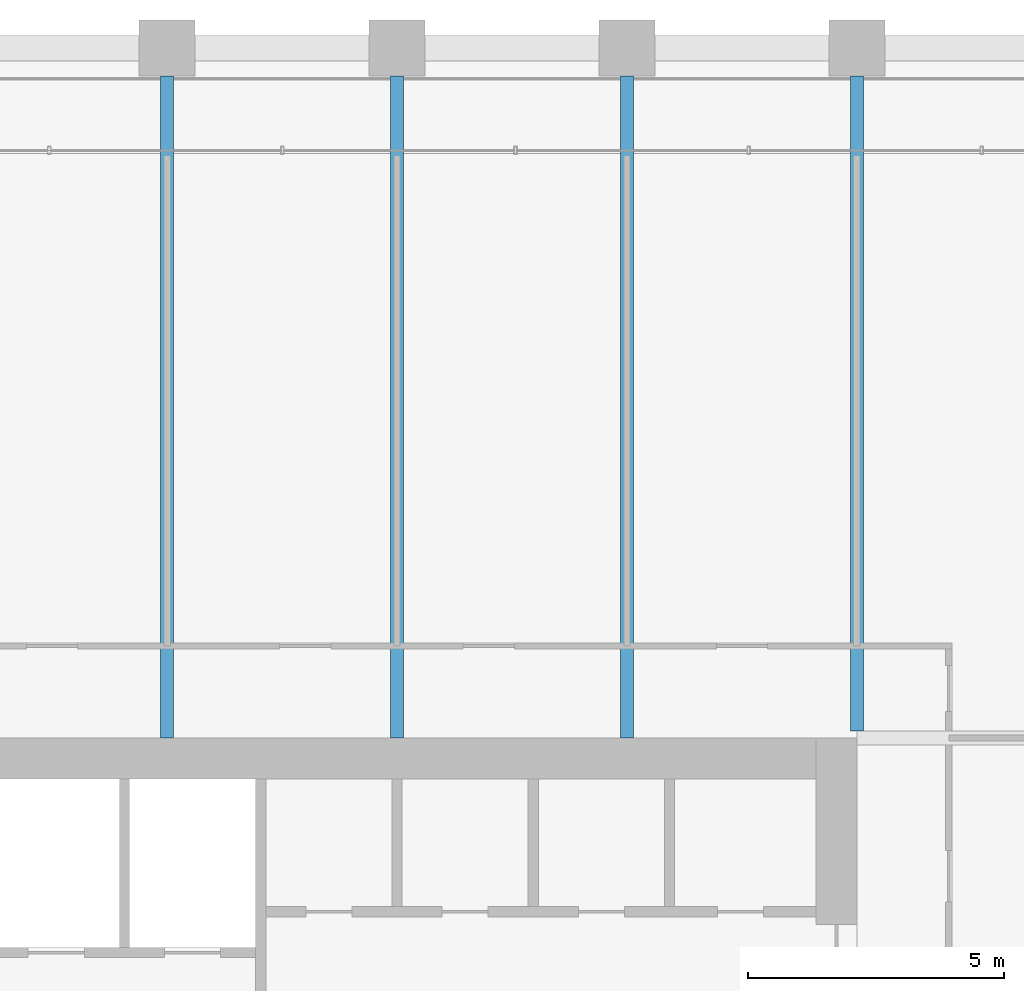
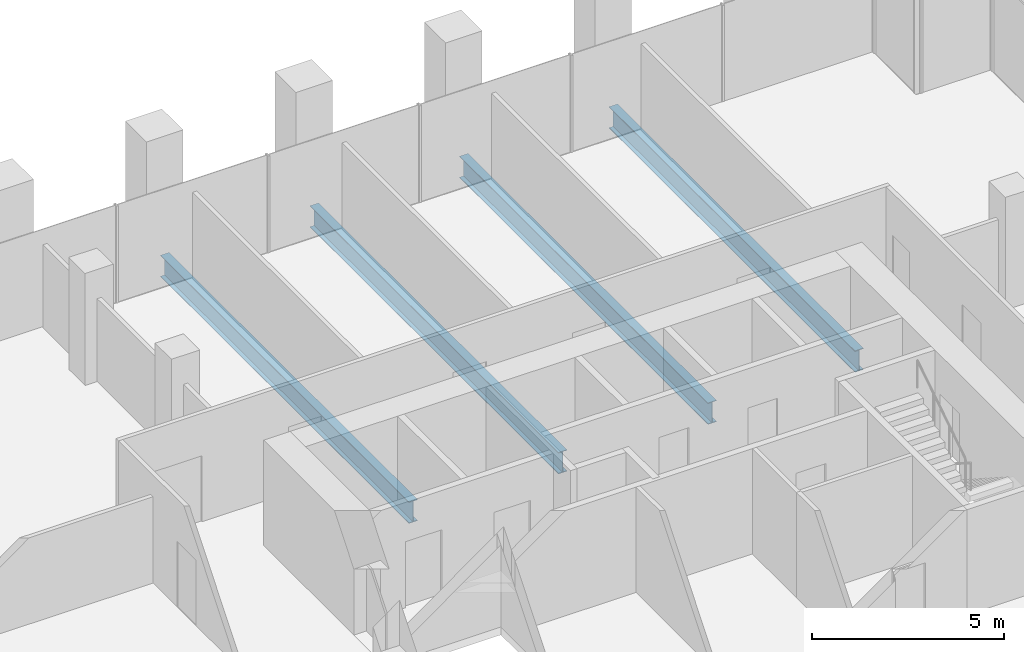
# One storey, part 28 of 56: 4 beams.
"""IFC4 building model written with IfcOpenShell, lengths in metres."""

from ifc_helpers import new_model, si_unit, direction, frame, origin, origin_2d, place, context, subcontext, project, spatial, i_section, extrude, material, material_profile, profile_set, type_object, element, save


model = new_model("IFC4")

# Units and contexts
model_context = context("Model", 3, precision=1e-05, world=origin(), true_north=direction((0.0, 1.0)))
body_context = subcontext(model_context, "Body", "Model", "MODEL_VIEW")
ifc_project = project(units=[si_unit("LENGTHUNIT", "METRE"), si_unit("AREAUNIT", "SQUARE_METRE"), si_unit("VOLUMEUNIT", "CUBIC_METRE"), si_unit("PLANEANGLEUNIT", "RADIAN"), si_unit("MASSUNIT", "GRAM", prefix="KILO")], contexts=[model_context])

# Site, building, storey
site_placement = place(None, origin())
site = spatial("IfcSite", under=ifc_project, at=site_placement, CompositionType="ELEMENT")
building_placement = place(site_placement, origin())
building = spatial("IfcBuilding", under=site, at=building_placement, Name="Altepetl Exchange Towers", CompositionType="ELEMENT")
storey_placement = place(building_placement, frame((0.0, 0.0, 69.0)))
storey = spatial("IfcBuildingStorey", under=building, at=storey_placement, Name="L16", CompositionType="ELEMENT", Elevation=69.0)

# Beams
ifc_material = material(Name="Steel S355", Category="steel")
ifc_material_profile = material_profile(ifc_material, i_section(OverallWidth=0.25390625, OverallDepth=0.68408203125, WebThickness=0.012451171875, FlangeThickness=0.018798828125, at=origin_2d()), Name="W27X94")
ifc_profile_set = profile_set([ifc_material_profile], Name="Steel S355")
beam_type = type_object("IfcBeamType", Name="Floor beam W27X94", PredefinedType="BEAM", material=ifc_profile_set)
for number, where, z_axis, x_axis, name in (
    (1, (45.0, 58.5, -0.491943359375), (0.0, 1.0, 0.0), (-1.0, 0.0, 0.0), "bm:A:L16:000"),
    (2, (49.5, 58.5, -0.491943359375), (0.0, 1.0, 0.0), (-1.0, 0.0, 0.0), "bm:A:L16:001"),
    (3, (54.0, 58.5, -0.491943359375), (0.0, 1.0, 0.0), (-1.0, 0.0, 0.0), "bm:A:L16:002"),
):
    element("IfcBeam", number, at=place(storey_placement, frame(where, z_axis=z_axis, x_axis=x_axis)), inside=storey, type_object=beam_type, Name=name, PredefinedType="BEAM", context=body_context, shape_type="SweptSolid", body=[
        extrude(i_section(OverallWidth=0.25390625, OverallDepth=0.68408203125, WebThickness=0.012451171875, FlangeThickness=0.018798828125, at=origin_2d()), origin(), (0.0, 0.0, 1.0), 12.949951171875),
    ])
beam_placement = place(storey_placement, frame((58.5, 58.634033203125, -0.491943359375), z_axis=(0.0, 1.0, 0.0), x_axis=(-1.0, 0.0, 0.0)))
element("IfcBeam", 4, at=beam_placement, inside=storey, type_object=beam_type, Name="bm:A:L16:003", PredefinedType="BEAM", context=body_context, shape_type="SweptSolid", body=[
    extrude(i_section(OverallWidth=0.25390625, OverallDepth=0.68408203125, WebThickness=0.012451171875, FlangeThickness=0.018798828125, at=origin_2d()), origin(), (0.0, 0.0, 1.0), 12.81591796875),
])

save(model, "model.ifc")
